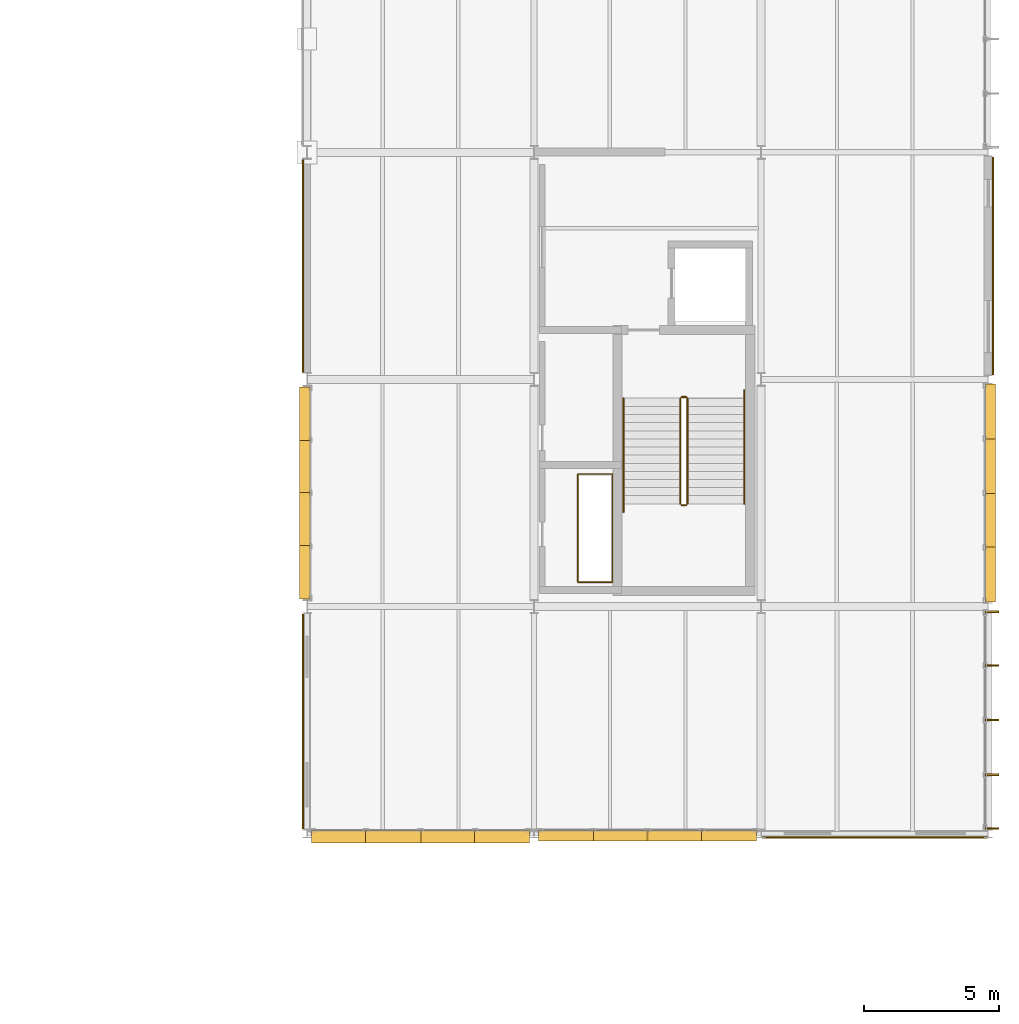
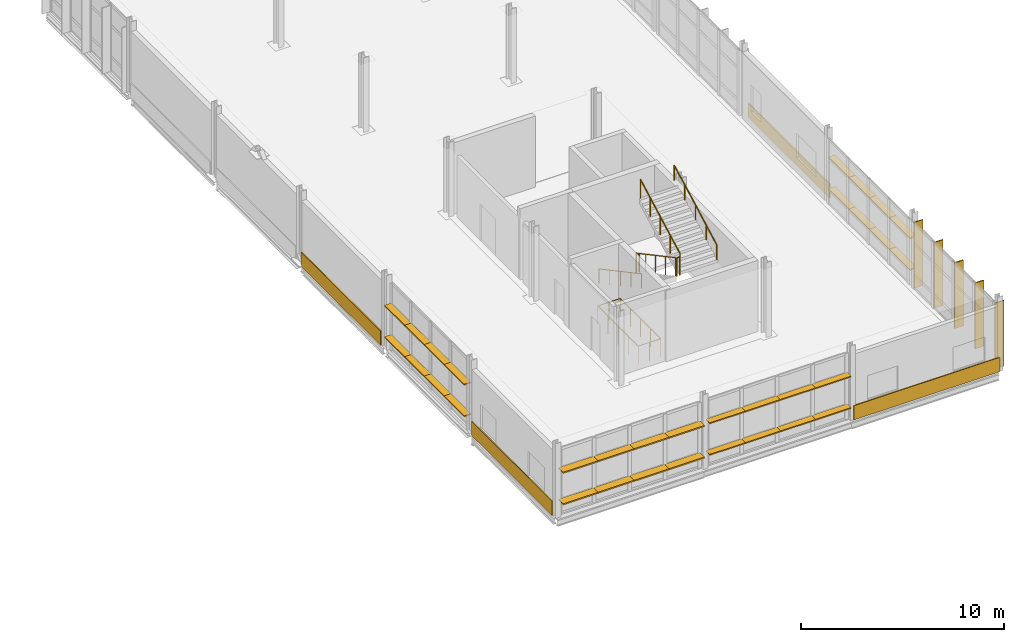
# One storey, part 123 of 129: 37 shading devices, 7 railings, 4 coverings.
"""IFC4 building model written with IfcOpenShell, lengths in metres."""

from ifc_helpers import new_model, si_unit, direction, frame, origin, origin_2d, place, context, subcontext, project, spatial, rectangle, circle, extrude, material, layer, layer_set, type_object, element, save


model = new_model("IFC4")

# Units and contexts
model_context = context("Model", 3, precision=1e-05, world=origin(), true_north=direction((0.0, 1.0)))
body_context = subcontext(model_context, "Body", "Model", "MODEL_VIEW")
ifc_project = project(units=[si_unit("LENGTHUNIT", "METRE"), si_unit("AREAUNIT", "SQUARE_METRE"), si_unit("VOLUMEUNIT", "CUBIC_METRE"), si_unit("PLANEANGLEUNIT", "RADIAN"), si_unit("MASSUNIT", "GRAM", prefix="KILO")], contexts=[model_context])

# Site, building, storey
site_placement = place(None, origin())
site = spatial("IfcSite", under=ifc_project, at=site_placement, CompositionType="ELEMENT")
building_placement = place(site_placement, origin())
building = spatial("IfcBuilding", under=site, at=building_placement, Name="Mersafa Astral City Hall", CompositionType="ELEMENT")
storey_placement = place(building_placement, frame((0.0, 0.0, 5.39990234375)))
storey = spatial("IfcBuildingStorey", under=building, at=storey_placement, Name="L01", CompositionType="ELEMENT", Elevation=5.39990234375)

# Coverings
ifc_material_1 = material(Name="Cairo Mokattam buff limestone cladding", Category="masonry")
ifc_layer = layer(ifc_material_1, 0.06005859375, Name="Cairo Mokattam buff limestone cladding")
ifc_layer_set = layer_set([ifc_layer], Name="Cairo Mokattam buff limestone cladding — ENV-COV-LIMESTONE-60")
covering_type = type_object("IfcCoveringType", Name="ENV-COV-LIMESTONE-60", PredefinedType="CLADDING", material=ifc_layer_set)
covering_1_placement = place(storey_placement, frame((159.445556640625, 63.0, 0.0), z_axis=(0.0, 0.0, 1.0), x_axis=(0.0, -1.0, 0.0)))
element("IfcCovering", 1, at=covering_1_placement, inside=storey, type_object=covering_type, Name="L01 Cairo buff limestone rainscreen cladding 87", PredefinedType="CLADDING", context=body_context, shape_type="SweptSolid", body=[
    extrude(rectangle(XDim=7.847900390625, YDim=0.06005859375, at=origin_2d()), origin(), (0.0, 0.0, 1.0), 0.860107421875),
])
covering_2_placement = place(storey_placement, frame((159.452880859375, 46.14990234375, 0.0), z_axis=(0.0, 0.0, 1.0), x_axis=(0.0, -1.0, 0.0)))
element("IfcCovering", 2, at=covering_2_placement, inside=storey, type_object=covering_type, Name="L01 Cairo buff limestone rainscreen cladding 88", PredefinedType="CLADDING", context=body_context, shape_type="SweptSolid", body=[
    extrude(rectangle(XDim=7.947998046875, YDim=0.06005859375, at=origin_2d()), origin(), (0.0, 0.0, 1.0), 0.860107421875),
])
covering_3_placement = place(storey_placement, frame((180.60009765625, 41.860595703125, 0.0), z_axis=(0.0, 0.0, 1.0), x_axis=(1.0, 0.0, 0.0)))
element("IfcCovering", 3, at=covering_3_placement, inside=storey, type_object=covering_type, Name="L01 Cairo buff limestone rainscreen cladding 89", PredefinedType="CLADDING", context=body_context, shape_type="SweptSolid", body=[
    extrude(rectangle(XDim=8.323974609375, YDim=0.06005859375, at=origin_2d()), origin(), (0.0, 0.0, 1.0), 0.860107421875),
])
covering_4_placement = place(storey_placement, frame((184.97705078125, 63.0, 0.0), z_axis=(0.0, 0.0, 1.0), x_axis=(0.0, 1.0, 0.0)))
element("IfcCovering", 4, at=covering_4_placement, inside=storey, type_object=covering_type, Name="L01 Cairo buff limestone rainscreen cladding 90", PredefinedType="CLADDING", context=body_context, shape_type="SweptSolid", body=[
    extrude(rectangle(XDim=8.048095703125, YDim=0.06005859375, at=origin_2d()), origin(), (0.0, 0.0, 1.0), 0.860107421875),
])

# Shading devices
ifc_material_2 = material(Name="Anodised bronze aluminium solar fin", Category="aluminium")
shading_device_type_1 = type_object("IfcShadingDeviceType", Name="ENV-SHD-FIN-500B", PredefinedType="USERDEFINED", material=ifc_material_2)
for number, where, z_axis, x_axis, name in (
    (5, (184.945068359375, 42.19189453125, -0.014892578125), (0.0, 0.0, 1.0), (0.0, 1.0, 0.0), "L01 Vertical bronze solar fin 464"),
    (6, (184.945068359375, 44.180908203125, -0.014892578125), (0.0, 0.0, 1.0), (0.0, 1.0, 0.0), "L01 Vertical bronze solar fin 465"),
    (7, (184.945068359375, 46.199951171875, -0.014892578125), (0.0, 0.0, 1.0), (0.0, 1.0, 0.0), "L01 Vertical bronze solar fin 466"),
    (8, (184.945068359375, 48.218994140625, -0.014892578125), (0.0, 0.0, 1.0), (0.0, 1.0, 0.0), "L01 Vertical bronze solar fin 467"),
    (9, (184.945068359375, 50.2080078125, -0.014892578125), (0.0, 0.0, 1.0), (0.0, 1.0, 0.0), "L01 Vertical bronze solar fin 468"),
):
    element("IfcShadingDevice", number, at=place(storey_placement, frame(where, z_axis=z_axis, x_axis=x_axis)), inside=storey, type_object=shading_device_type_1, Name=name, ObjectType="FIN", PredefinedType="USERDEFINED", context=body_context, shape_type="SweptSolid", body=[
        extrude(rectangle(XDim=0.06005859375, YDim=0.5, at=origin_2d()), origin(), (0.0, 0.0, 1.0), 3.9619140625),
    ])
ifc_material_3 = material(Name="Kiln-dried cedar timber brise-soleil blade", Category="wood")
shading_device_type_2 = type_object("IfcShadingDeviceType", Name="ENV-SHD-LOUVRE-380", PredefinedType="JALOUSIE", material=ifc_material_3)
shading_device_1_placement = place(storey_placement, frame((159.52001953125, 57.53857421875, 0.81494140625), z_axis=(0.0, 0.0, 1.0), x_axis=(0.0, -1.0, 0.0)))
element("IfcShadingDevice", 10, at=shading_device_1_placement, inside=storey, type_object=shading_device_type_2, Name="L01 Horizontal cedar brise-soleil louvre 440", PredefinedType="JALOUSIE", context=body_context, shape_type="SweptSolid", body=[
    extrude(rectangle(XDim=1.97900390625, YDim=0.3798828125, at=origin_2d()), origin(), (0.0, 0.0, 1.0), 0.070068359375),
])
for number, where, z_axis, x_axis, name in (
    (11, (159.52001953125, 55.58447265625, 0.81494140625), (0.0, 0.0, 1.0), (0.0, -1.0, 0.0), "L01 Horizontal cedar brise-soleil louvre 441"),
    (12, (159.52001953125, 53.615478515625, 0.81494140625), (0.0, 0.0, 1.0), (0.0, -1.0, 0.0), "L01 Horizontal cedar brise-soleil louvre 442"),
):
    element("IfcShadingDevice", number, at=place(storey_placement, frame(where, z_axis=z_axis, x_axis=x_axis)), inside=storey, type_object=shading_device_type_2, Name=name, PredefinedType="JALOUSIE", context=body_context, shape_type="SweptSolid", body=[
        extrude(rectangle(XDim=2.009033203125, YDim=0.3798828125, at=origin_2d()), origin(), (0.0, 0.0, 1.0), 0.070068359375),
    ])
for number, where, z_axis, x_axis, name in (
    (13, (159.52001953125, 51.66162109375, 0.81494140625), (0.0, 0.0, 1.0), (0.0, -1.0, 0.0), "L01 Horizontal cedar brise-soleil louvre 443"),
    (14, (159.52001953125, 57.53857421875, 2.71484375), (0.0, 0.0, 1.0), (0.0, -1.0, 0.0), "L01 Horizontal cedar brise-soleil louvre 444"),
):
    element("IfcShadingDevice", number, at=place(storey_placement, frame(where, z_axis=z_axis, x_axis=x_axis)), inside=storey, type_object=shading_device_type_2, Name=name, PredefinedType="JALOUSIE", context=body_context, shape_type="SweptSolid", body=[
        extrude(rectangle(XDim=1.97900390625, YDim=0.3798828125, at=origin_2d()), origin(), (0.0, 0.0, 1.0), 0.070068359375),
    ])
for number, where, z_axis, x_axis, name in (
    (15, (159.52001953125, 55.58447265625, 2.71484375), (0.0, 0.0, 1.0), (0.0, -1.0, 0.0), "L01 Horizontal cedar brise-soleil louvre 445"),
    (16, (159.52001953125, 53.615478515625, 2.71484375), (0.0, 0.0, 1.0), (0.0, -1.0, 0.0), "L01 Horizontal cedar brise-soleil louvre 446"),
):
    element("IfcShadingDevice", number, at=place(storey_placement, frame(where, z_axis=z_axis, x_axis=x_axis)), inside=storey, type_object=shading_device_type_2, Name=name, PredefinedType="JALOUSIE", context=body_context, shape_type="SweptSolid", body=[
        extrude(rectangle(XDim=2.009033203125, YDim=0.3798828125, at=origin_2d()), origin(), (0.0, 0.0, 1.0), 0.070068359375),
    ])
shading_device_2_placement = place(storey_placement, frame((159.52001953125, 51.66162109375, 2.71484375), z_axis=(0.0, 0.0, 1.0), x_axis=(0.0, -1.0, 0.0)))
element("IfcShadingDevice", 17, at=shading_device_2_placement, inside=storey, type_object=shading_device_type_2, Name="L01 Horizontal cedar brise-soleil louvre 447", PredefinedType="JALOUSIE", context=body_context, shape_type="SweptSolid", body=[
    extrude(rectangle(XDim=1.97900390625, YDim=0.3798828125, at=origin_2d()), origin(), (0.0, 0.0, 1.0), 0.070068359375),
])
shading_device_3_placement = place(storey_placement, frame((169.1865234375, 41.919921875, 0.81494140625), z_axis=(0.0, 0.0, 1.0), x_axis=(1.0, 0.0, 0.0)))
element("IfcShadingDevice", 18, at=shading_device_3_placement, inside=storey, type_object=shading_device_type_2, Name="L01 Horizontal cedar brise-soleil louvre 456", PredefinedType="JALOUSIE", context=body_context, shape_type="SweptSolid", body=[
    extrude(rectangle(XDim=2.029052734375, YDim=0.3798828125, at=origin_2d()), origin(), (0.0, 0.0, 1.0), 0.070068359375),
])
for number, where, z_axis, x_axis, name in (
    (19, (171.1904296875, 41.919921875, 0.81494140625), (0.0, 0.0, 1.0), (1.0, 0.0, 0.0), "L01 Horizontal cedar brise-soleil louvre 457"),
    (20, (173.20947265625, 41.919921875, 0.81494140625), (0.0, 0.0, 1.0), (1.0, 0.0, 0.0), "L01 Horizontal cedar brise-soleil louvre 458"),
):
    element("IfcShadingDevice", number, at=place(storey_placement, frame(where, z_axis=z_axis, x_axis=x_axis)), inside=storey, type_object=shading_device_type_2, Name=name, PredefinedType="JALOUSIE", context=body_context, shape_type="SweptSolid", body=[
        extrude(rectangle(XDim=2.05908203125, YDim=0.3798828125, at=origin_2d()), origin(), (0.0, 0.0, 1.0), 0.070068359375),
    ])
for number, where, z_axis, x_axis, name in (
    (21, (175.21337890625, 41.919921875, 0.81494140625), (0.0, 0.0, 1.0), (1.0, 0.0, 0.0), "L01 Horizontal cedar brise-soleil louvre 459"),
    (22, (169.1865234375, 41.919921875, 2.71484375), (0.0, 0.0, 1.0), (1.0, 0.0, 0.0), "L01 Horizontal cedar brise-soleil louvre 460"),
):
    element("IfcShadingDevice", number, at=place(storey_placement, frame(where, z_axis=z_axis, x_axis=x_axis)), inside=storey, type_object=shading_device_type_2, Name=name, PredefinedType="JALOUSIE", context=body_context, shape_type="SweptSolid", body=[
        extrude(rectangle(XDim=2.029052734375, YDim=0.3798828125, at=origin_2d()), origin(), (0.0, 0.0, 1.0), 0.070068359375),
    ])
for number, where, z_axis, x_axis, name in (
    (23, (171.1904296875, 41.919921875, 2.71484375), (0.0, 0.0, 1.0), (1.0, 0.0, 0.0), "L01 Horizontal cedar brise-soleil louvre 461"),
    (24, (173.20947265625, 41.919921875, 2.71484375), (0.0, 0.0, 1.0), (1.0, 0.0, 0.0), "L01 Horizontal cedar brise-soleil louvre 462"),
):
    element("IfcShadingDevice", number, at=place(storey_placement, frame(where, z_axis=z_axis, x_axis=x_axis)), inside=storey, type_object=shading_device_type_2, Name=name, PredefinedType="JALOUSIE", context=body_context, shape_type="SweptSolid", body=[
        extrude(rectangle(XDim=2.05908203125, YDim=0.3798828125, at=origin_2d()), origin(), (0.0, 0.0, 1.0), 0.070068359375),
    ])
for number, where, z_axis, x_axis, name in (
    (25, (175.21337890625, 41.919921875, 2.71484375), (0.0, 0.0, 1.0), (1.0, 0.0, 0.0), "L01 Horizontal cedar brise-soleil louvre 463"),
    (26, (184.8798828125, 51.58642578125, 0.81494140625), (0.0, 0.0, 1.0), (0.0, 1.0, 0.0), "L01 Horizontal cedar brise-soleil louvre 469"),
):
    element("IfcShadingDevice", number, at=place(storey_placement, frame(where, z_axis=z_axis, x_axis=x_axis)), inside=storey, type_object=shading_device_type_2, Name=name, PredefinedType="JALOUSIE", context=body_context, shape_type="SweptSolid", body=[
        extrude(rectangle(XDim=2.029052734375, YDim=0.3798828125, at=origin_2d()), origin(), (0.0, 0.0, 1.0), 0.070068359375),
    ])
for number, where, z_axis, x_axis, name in (
    (27, (184.8798828125, 53.590576171875, 0.81494140625), (0.0, 0.0, 1.0), (0.0, 1.0, 0.0), "L01 Horizontal cedar brise-soleil louvre 470"),
    (28, (184.8798828125, 55.609619140625, 0.81494140625), (0.0, 0.0, 1.0), (0.0, 1.0, 0.0), "L01 Horizontal cedar brise-soleil louvre 471"),
):
    element("IfcShadingDevice", number, at=place(storey_placement, frame(where, z_axis=z_axis, x_axis=x_axis)), inside=storey, type_object=shading_device_type_2, Name=name, PredefinedType="JALOUSIE", context=body_context, shape_type="SweptSolid", body=[
        extrude(rectangle(XDim=2.05908203125, YDim=0.3798828125, at=origin_2d()), origin(), (0.0, 0.0, 1.0), 0.070068359375),
    ])
for number, where, z_axis, x_axis, name in (
    (29, (184.8798828125, 57.613525390625, 0.81494140625), (0.0, 0.0, 1.0), (0.0, 1.0, 0.0), "L01 Horizontal cedar brise-soleil louvre 472"),
    (30, (184.8798828125, 51.58642578125, 2.71484375), (0.0, 0.0, 1.0), (0.0, 1.0, 0.0), "L01 Horizontal cedar brise-soleil louvre 473"),
):
    element("IfcShadingDevice", number, at=place(storey_placement, frame(where, z_axis=z_axis, x_axis=x_axis)), inside=storey, type_object=shading_device_type_2, Name=name, PredefinedType="JALOUSIE", context=body_context, shape_type="SweptSolid", body=[
        extrude(rectangle(XDim=2.029052734375, YDim=0.3798828125, at=origin_2d()), origin(), (0.0, 0.0, 1.0), 0.070068359375),
    ])
for number, where, z_axis, x_axis, name in (
    (31, (184.8798828125, 53.590576171875, 2.71484375), (0.0, 0.0, 1.0), (0.0, 1.0, 0.0), "L01 Horizontal cedar brise-soleil louvre 474"),
    (32, (184.8798828125, 55.609619140625, 2.71484375), (0.0, 0.0, 1.0), (0.0, 1.0, 0.0), "L01 Horizontal cedar brise-soleil louvre 475"),
):
    element("IfcShadingDevice", number, at=place(storey_placement, frame(where, z_axis=z_axis, x_axis=x_axis)), inside=storey, type_object=shading_device_type_2, Name=name, PredefinedType="JALOUSIE", context=body_context, shape_type="SweptSolid", body=[
        extrude(rectangle(XDim=2.05908203125, YDim=0.3798828125, at=origin_2d()), origin(), (0.0, 0.0, 1.0), 0.070068359375),
    ])
shading_device_4_placement = place(storey_placement, frame((184.8798828125, 57.613525390625, 2.71484375), z_axis=(0.0, 0.0, 1.0), x_axis=(0.0, 1.0, 0.0)))
element("IfcShadingDevice", 33, at=shading_device_4_placement, inside=storey, type_object=shading_device_type_2, Name="L01 Horizontal cedar brise-soleil louvre 476", PredefinedType="JALOUSIE", context=body_context, shape_type="SweptSolid", body=[
    extrude(rectangle(XDim=2.029052734375, YDim=0.3798828125, at=origin_2d()), origin(), (0.0, 0.0, 1.0), 0.070068359375),
])
shading_device_type_3 = type_object("IfcShadingDeviceType", Name="ENV-SHD-LOUVRE-450", PredefinedType="JALOUSIE", material=ifc_material_3)
shading_device_5_placement = place(storey_placement, frame((160.78662109375, 41.885009765625, 0.81005859375), z_axis=(0.0, 0.0, 1.0), x_axis=(1.0, 0.0, 0.0)))
element("IfcShadingDevice", 34, at=shading_device_5_placement, inside=storey, type_object=shading_device_type_3, Name="L01 Horizontal cedar brise-soleil louvre 448", PredefinedType="JALOUSIE", context=body_context, shape_type="SweptSolid", body=[
    extrude(rectangle(XDim=2.029052734375, YDim=0.449951171875, at=origin_2d()), origin(), (0.0, 0.0, 1.0), 0.080078125),
])
for number, where, z_axis, x_axis, name in (
    (35, (162.79052734375, 41.885009765625, 0.81005859375), (0.0, 0.0, 1.0), (1.0, 0.0, 0.0), "L01 Horizontal cedar brise-soleil louvre 449"),
    (36, (164.8095703125, 41.885009765625, 0.81005859375), (0.0, 0.0, 1.0), (1.0, 0.0, 0.0), "L01 Horizontal cedar brise-soleil louvre 450"),
):
    element("IfcShadingDevice", number, at=place(storey_placement, frame(where, z_axis=z_axis, x_axis=x_axis)), inside=storey, type_object=shading_device_type_3, Name=name, PredefinedType="JALOUSIE", context=body_context, shape_type="SweptSolid", body=[
        extrude(rectangle(XDim=2.05908203125, YDim=0.449951171875, at=origin_2d()), origin(), (0.0, 0.0, 1.0), 0.080078125),
    ])
for number, where, z_axis, x_axis, name in (
    (37, (166.8134765625, 41.885009765625, 0.81005859375), (0.0, 0.0, 1.0), (1.0, 0.0, 0.0), "L01 Horizontal cedar brise-soleil louvre 451"),
    (38, (160.78662109375, 41.885009765625, 2.7099609375), (0.0, 0.0, 1.0), (1.0, 0.0, 0.0), "L01 Horizontal cedar brise-soleil louvre 452"),
):
    element("IfcShadingDevice", number, at=place(storey_placement, frame(where, z_axis=z_axis, x_axis=x_axis)), inside=storey, type_object=shading_device_type_3, Name=name, PredefinedType="JALOUSIE", context=body_context, shape_type="SweptSolid", body=[
        extrude(rectangle(XDim=2.029052734375, YDim=0.449951171875, at=origin_2d()), origin(), (0.0, 0.0, 1.0), 0.080078125),
    ])
for number, where, z_axis, x_axis, name in (
    (39, (162.79052734375, 41.885009765625, 2.7099609375), (0.0, 0.0, 1.0), (1.0, 0.0, 0.0), "L01 Horizontal cedar brise-soleil louvre 453"),
    (40, (164.8095703125, 41.885009765625, 2.7099609375), (0.0, 0.0, 1.0), (1.0, 0.0, 0.0), "L01 Horizontal cedar brise-soleil louvre 454"),
):
    element("IfcShadingDevice", number, at=place(storey_placement, frame(where, z_axis=z_axis, x_axis=x_axis)), inside=storey, type_object=shading_device_type_3, Name=name, PredefinedType="JALOUSIE", context=body_context, shape_type="SweptSolid", body=[
        extrude(rectangle(XDim=2.05908203125, YDim=0.449951171875, at=origin_2d()), origin(), (0.0, 0.0, 1.0), 0.080078125),
    ])
shading_device_6_placement = place(storey_placement, frame((166.8134765625, 41.885009765625, 2.7099609375), z_axis=(0.0, 0.0, 1.0), x_axis=(1.0, 0.0, 0.0)))
element("IfcShadingDevice", 41, at=shading_device_6_placement, inside=storey, type_object=shading_device_type_3, Name="L01 Horizontal cedar brise-soleil louvre 455", PredefinedType="JALOUSIE", context=body_context, shape_type="SweptSolid", body=[
    extrude(rectangle(XDim=2.029052734375, YDim=0.449951171875, at=origin_2d()), origin(), (0.0, 0.0, 1.0), 0.080078125),
])

# Railings
ifc_material_4 = material(Name="Painted architectural steel stair guard balustrade", Category="steel")
railing_type_1 = type_object("IfcRailingType", Name="GUARD-RAIL", PredefinedType="BALUSTRADE", material=ifc_material_4)
railing_1_placement = place(storey_placement, frame((173.409912109375, 58.10009765625, 0.160888671875)))
element("IfcRailing", 42, at=railing_1_placement, inside=storey, type_object=railing_type_1, Name="L01 ST4 stair guard 1", PredefinedType="BALUSTRADE", context=body_context, shape_type="SweptSolid", body=[
    extrude(circle(Radius=0.02392578125, at=origin_2d()), frame((0.0, 0.0, 1.09619140625), z_axis=(0.0, -0.881503758195, 0.472177005251), x_axis=(1.0, 0.0, 0.0)), (0.0, 0.0, 1.0), 4.42431640625),
    extrude(circle(Radius=0.02099609375, at=origin_2d()), origin(), (0.0, 0.0, 1.0), 1.072021484375),
    extrude(circle(Radius=0.02099609375, at=origin_2d()), frame((0.0, -0.97509765625, 0.522216796875)), (0.0, 0.0, 1.0), 1.072021484375),
    extrude(circle(Radius=0.02099609375, at=origin_2d()), frame((0.0, -1.9501953125, 1.04443359375)), (0.0, 0.0, 1.0), 1.072021484375),
    extrude(circle(Radius=0.02099609375, at=origin_2d()), frame((0.0, -2.925048828125, 1.56689453125)), (0.0, 0.0, 1.0), 1.072021484375),
    extrude(circle(Radius=0.02099609375, at=origin_2d()), frame((0.0, -3.900146484375, 2.089111328125)), (0.0, 0.0, 1.0), 1.072021484375),
])
railing_2_placement = place(storey_placement, frame((173.4599609375, 54.14990234375, 2.25)))
element("IfcRailing", 43, at=railing_2_placement, inside=storey, type_object=railing_type_1, Name="L01 ST4 stair guard 2", PredefinedType="BALUSTRADE", context=body_context, shape_type="SweptSolid", body=[
    extrude(circle(Radius=0.02392578125, at=origin_2d()), frame((0.0, 0.0, 1.09619140625), z_axis=(1.0, 0.0, 0.0), x_axis=(0.0, 1.0, 0.0)), (0.0, 0.0, 1.0), 0.16015625),
    extrude(circle(Radius=0.02099609375, at=origin_2d()), origin(), (0.0, 0.0, 1.0), 1.072021484375),
    extrude(circle(Radius=0.02099609375, at=origin_2d()), frame((0.16015625, 0.0, 0.0)), (0.0, 0.0, 1.0), 1.072021484375),
])
railing_3_placement = place(storey_placement, frame((173.669921875, 54.199951171875, 2.410888671875)))
element("IfcRailing", 44, at=railing_3_placement, inside=storey, type_object=railing_type_1, Name="L01 ST4 stair guard 3", PredefinedType="BALUSTRADE", context=body_context, shape_type="SweptSolid", body=[
    extrude(circle(Radius=0.02392578125, at=origin_2d()), frame((0.0, 0.0, 1.09619140625), z_axis=(0.0, 0.881503758195, 0.472177005251), x_axis=(-1.0, 0.0, 0.0)), (0.0, 0.0, 1.0), 4.42431640625),
    extrude(circle(Radius=0.02099609375, at=origin_2d()), origin(), (0.0, 0.0, 1.0), 1.072021484375),
    extrude(circle(Radius=0.02099609375, at=origin_2d()), frame((0.0, 0.97509765625, 0.522216796875)), (0.0, 0.0, 1.0), 1.072021484375),
    extrude(circle(Radius=0.02099609375, at=origin_2d()), frame((0.0, 1.9501953125, 1.04443359375)), (0.0, 0.0, 1.0), 1.072021484375),
    extrude(circle(Radius=0.02099609375, at=origin_2d()), frame((0.0, 2.925048828125, 1.56689453125)), (0.0, 0.0, 1.0), 1.072021484375),
    extrude(circle(Radius=0.02099609375, at=origin_2d()), frame((0.0, 3.900146484375, 2.089111328125)), (0.0, 0.0, 1.0), 1.072021484375),
])
railing_4_placement = place(storey_placement, frame((173.4599609375, 58.14990234375, 0.0)))
element("IfcRailing", 45, at=railing_4_placement, inside=storey, type_object=railing_type_1, Name="L01 ST4 stair guard 4", PredefinedType="BALUSTRADE", context=body_context, shape_type="SweptSolid", body=[
    extrude(circle(Radius=0.02392578125, at=origin_2d()), frame((0.0, 0.0, 1.09619140625), z_axis=(1.0, 0.0, 0.0), x_axis=(0.0, 1.0, 0.0)), (0.0, 0.0, 1.0), 0.16015625),
    extrude(circle(Radius=0.02099609375, at=origin_2d()), origin(), (0.0, 0.0, 1.0), 1.072021484375),
    extrude(circle(Radius=0.02099609375, at=origin_2d()), frame((0.16015625, 0.0, 0.0)), (0.0, 0.0, 1.0), 1.072021484375),
])
railing_5_placement = place(storey_placement, frame((169.6201171875, 51.300048828125, 0.0)))
element("IfcRailing", 46, at=railing_5_placement, inside=storey, type_object=railing_type_1, Name="L01 K4 MEP Riser Shaft Guard", PredefinedType="BALUSTRADE", context=body_context, shape_type="SweptSolid", body=[
    extrude(circle(Radius=0.02392578125, at=origin_2d()), frame((0.0, 0.0, 1.09619140625), z_axis=(1.0, 0.0, 0.0), x_axis=(0.0, 1.0, 0.0)), (0.0, 0.0, 1.0), 1.27978515625),
    extrude(circle(Radius=0.02392578125, at=origin_2d()), frame((1.27978515625, 0.0, 1.09619140625), z_axis=(0.0, 1.0, 0.0), x_axis=(-1.0, 0.0, 0.0)), (0.0, 0.0, 1.0), 4.0),
    extrude(circle(Radius=0.02392578125, at=origin_2d()), frame((1.27978515625, 4.0, 1.09619140625), z_axis=(-1.0, 0.0, 0.0), x_axis=(0.0, -1.0, 0.0)), (0.0, 0.0, 1.0), 1.27978515625),
    extrude(circle(Radius=0.02392578125, at=origin_2d()), frame((0.0, 4.0, 1.09619140625), z_axis=(0.0, -1.0, 0.0), x_axis=(1.0, 0.0, 0.0)), (0.0, 0.0, 1.0), 4.0),
    extrude(circle(Radius=0.02099609375, at=origin_2d()), origin(), (0.0, 0.0, 1.0), 1.072021484375),
    extrude(circle(Radius=0.02099609375, at=origin_2d()), frame((0.639892578125, 0.0, 0.0)), (0.0, 0.0, 1.0), 1.072021484375),
    extrude(circle(Radius=0.02099609375, at=origin_2d()), frame((1.27978515625, 0.0, 0.0)), (0.0, 0.0, 1.0), 1.072021484375),
    extrude(circle(Radius=0.02099609375, at=origin_2d()), frame((1.27978515625, 1.0, 0.0)), (0.0, 0.0, 1.0), 1.072021484375),
    extrude(circle(Radius=0.02099609375, at=origin_2d()), frame((1.27978515625, 2.0, 0.0)), (0.0, 0.0, 1.0), 1.072021484375),
    extrude(circle(Radius=0.02099609375, at=origin_2d()), frame((1.27978515625, 3.0, 0.0)), (0.0, 0.0, 1.0), 1.072021484375),
    extrude(circle(Radius=0.02099609375, at=origin_2d()), frame((1.27978515625, 4.0, 0.0)), (0.0, 0.0, 1.0), 1.072021484375),
    extrude(circle(Radius=0.02099609375, at=origin_2d()), frame((0.639892578125, 4.0, 0.0)), (0.0, 0.0, 1.0), 1.072021484375),
    extrude(circle(Radius=0.02099609375, at=origin_2d()), frame((0.0, 4.0, 0.0)), (0.0, 0.0, 1.0), 1.072021484375),
    extrude(circle(Radius=0.02099609375, at=origin_2d()), frame((0.0, 3.0, 0.0)), (0.0, 0.0, 1.0), 1.072021484375),
    extrude(circle(Radius=0.02099609375, at=origin_2d()), frame((0.0, 2.0, 0.0)), (0.0, 0.0, 1.0), 1.072021484375),
    extrude(circle(Radius=0.02099609375, at=origin_2d()), frame((0.0, 1.0, 0.0)), (0.0, 0.0, 1.0), 1.072021484375),
])
ifc_material_5 = material(Name="Brushed stainless steel tubular handrail", Category="steel")
railing_type_2 = type_object("IfcRailingType", Name="HANDRAIL", PredefinedType="HANDRAIL", material=ifc_material_5)
railing_6_placement = place(storey_placement, frame((171.31005859375, 58.10009765625, 0.160888671875)))
element("IfcRailing", 47, at=railing_6_placement, inside=storey, type_object=railing_type_2, Name="L01 ST4 stair handrail 1", PredefinedType="HANDRAIL", context=body_context, shape_type="SweptSolid", body=[
    extrude(circle(Radius=0.02392578125, at=origin_2d()), frame((0.0, 0.0, 0.8759765625), z_axis=(0.0, -0.881233128509, 0.47268189432), x_axis=(1.0, 0.0, 0.0)), (0.0, 0.0, 1.0), 4.766357421875),
    extrude(circle(Radius=0.02099609375, at=origin_2d()), origin(), (0.0, 0.0, 1.0), 0.851806640625),
    extrude(circle(Radius=0.02099609375, at=origin_2d()), frame((0.0, -1.050048828125, 0.563232421875)), (0.0, 0.0, 1.0), 0.851806640625),
    extrude(circle(Radius=0.02099609375, at=origin_2d()), frame((0.0, -2.10009765625, 1.12646484375)), (0.0, 0.0, 1.0), 0.851806640625),
    extrude(circle(Radius=0.02099609375, at=origin_2d()), frame((0.0, -3.150146484375, 1.689697265625)), (0.0, 0.0, 1.0), 0.851806640625),
    extrude(circle(Radius=0.02099609375, at=origin_2d()), frame((0.0, -4.2001953125, 2.2529296875)), (0.0, 0.0, 1.0), 0.851806640625),
])
railing_7_placement = place(storey_placement, frame((175.77001953125, 54.199951171875, 2.410888671875)))
element("IfcRailing", 48, at=railing_7_placement, inside=storey, type_object=railing_type_2, Name="L01 ST4 stair handrail 2", PredefinedType="HANDRAIL", context=body_context, shape_type="SweptSolid", body=[
    extrude(circle(Radius=0.02392578125, at=origin_2d()), frame((0.0, 0.0, 0.8759765625), z_axis=(0.0, 0.881221683169, 0.472703231546), x_axis=(-1.0, 0.0, 0.0)), (0.0, 0.0, 1.0), 4.76611328125),
    extrude(circle(Radius=0.02099609375, at=origin_2d()), origin(), (0.0, 0.0, 1.0), 0.851806640625),
    extrude(circle(Radius=0.02099609375, at=origin_2d()), frame((0.0, 1.050048828125, 0.563232421875)), (0.0, 0.0, 1.0), 0.851806640625),
    extrude(circle(Radius=0.02099609375, at=origin_2d()), frame((0.0, 2.10009765625, 1.12646484375)), (0.0, 0.0, 1.0), 0.851806640625),
    extrude(circle(Radius=0.02099609375, at=origin_2d()), frame((0.0, 3.14990234375, 1.689697265625)), (0.0, 0.0, 1.0), 0.851806640625),
    extrude(circle(Radius=0.02099609375, at=origin_2d()), frame((0.0, 4.199951171875, 2.2529296875)), (0.0, 0.0, 1.0), 0.851806640625),
])

save(model, "model.ifc")
